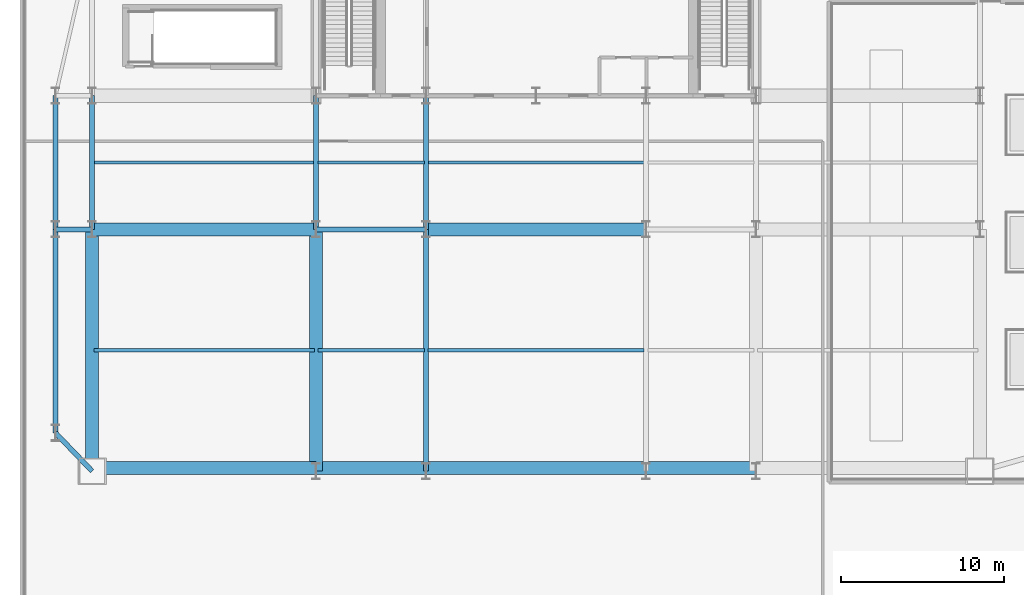
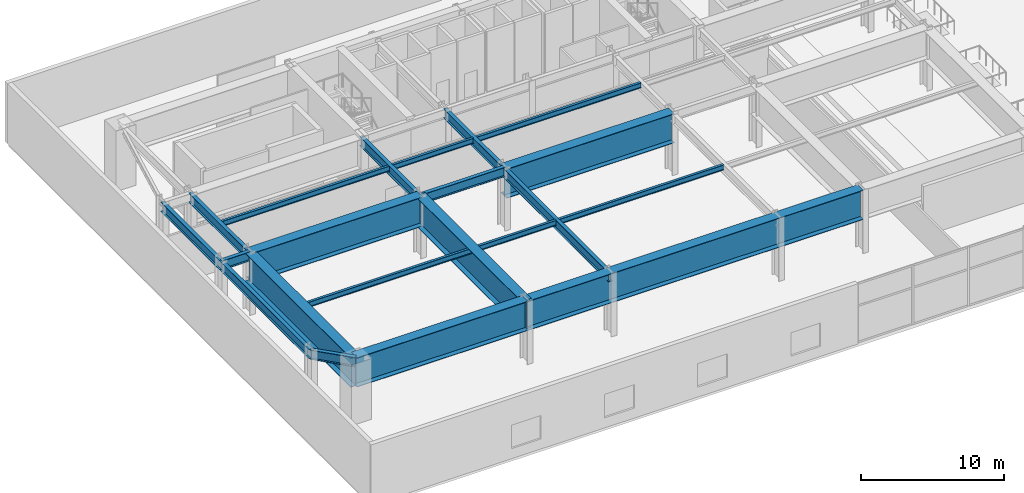
# One storey, part 3 of 29: 21 beams.
"""IFC4 building model written with IfcOpenShell, lengths in metres."""

from ifc_helpers import new_model, si_unit, direction, frame, origin, origin_2d, place, context, subcontext, project, spatial, i_section, extrude, material, material_profile, profile_set, type_object, element, save


model = new_model("IFC4")

# Units and contexts
model_context = context("Model", 3, precision=1e-05, world=origin(), true_north=direction((0.0, 1.0)))
body_context = subcontext(model_context, "Body", "Model", "MODEL_VIEW")
ifc_project = project(units=[si_unit("LENGTHUNIT", "METRE"), si_unit("AREAUNIT", "SQUARE_METRE"), si_unit("VOLUMEUNIT", "CUBIC_METRE"), si_unit("PLANEANGLEUNIT", "RADIAN"), si_unit("MASSUNIT", "GRAM", prefix="KILO")], contexts=[model_context])

# Site, building, storey
site_placement = place(None, origin())
site = spatial("IfcSite", under=ifc_project, at=site_placement, CompositionType="ELEMENT")
building_placement = place(site_placement, origin())
building = spatial("IfcBuilding", under=site, at=building_placement, Name="Haevon Station Towers", CompositionType="ELEMENT")
storey_placement = place(building_placement, frame((0.0, 0.0, 25.199951171875)))
storey = spatial("IfcBuildingStorey", under=building, at=storey_placement, Name="L05", CompositionType="ELEMENT", Elevation=25.199951171875)

# Beams
ifc_material_1 = material(Name="Steel S355", Category="steel")
ifc_material_profile_1 = material_profile(ifc_material_1, i_section(OverallWidth=0.199951171875, OverallDepth=0.449951171875, WebThickness=0.009033203125, FlangeThickness=0.013916015625, at=origin_2d()), Name="H-450x200x9x14")
ifc_profile_set_1 = profile_set([ifc_material_profile_1], Name="Steel S355")
beam_type_1 = type_object("IfcBeamType", Name="BM-J450", PredefinedType="JOIST", material=ifc_profile_set_1)
beam_1_placement = place(storey_placement, frame((10.360107421875, 22.574951171875, 4.925048828125), z_axis=(1.0, 0.0, 0.0), x_axis=(0.0, 1.0, 0.0)))
element("IfcBeam", 1, at=beam_1_placement, inside=storey, type_object=beam_type_1, Name="BM-T1J-L05-01-01", PredefinedType="JOIST", context=body_context, shape_type="SweptSolid", body=[
    extrude(i_section(OverallWidth=0.199951171875, OverallDepth=0.449951171875, WebThickness=0.009033203125, FlangeThickness=0.013916015625, at=origin_2d()), origin(), (0.0, 0.0, 1.0), 13.52978515625),
])
beam_2_placement = place(storey_placement, frame((24.110107421875, 22.574951171875, 4.925048828125), z_axis=(1.0, 0.0, 0.0), x_axis=(0.0, 1.0, 0.0)))
element("IfcBeam", 2, at=beam_2_placement, inside=storey, type_object=beam_type_1, Name="BM-T1J-L05-01-02", PredefinedType="JOIST", context=body_context, shape_type="SweptSolid", body=[
    extrude(i_section(OverallWidth=0.199951171875, OverallDepth=0.449951171875, WebThickness=0.009033203125, FlangeThickness=0.013916015625, at=origin_2d()), origin(), (0.0, 0.0, 1.0), 6.52978515625),
])
beam_3_placement = place(storey_placement, frame((30.860107421875, 22.574951171875, 4.925048828125), z_axis=(1.0, 0.0, 0.0), x_axis=(0.0, 1.0, 0.0)))
element("IfcBeam", 3, at=beam_3_placement, inside=storey, type_object=beam_type_1, Name="BM-T1J-L05-01-03", PredefinedType="JOIST", context=body_context, shape_type="SweptSolid", body=[
    extrude(i_section(OverallWidth=0.199951171875, OverallDepth=0.449951171875, WebThickness=0.009033203125, FlangeThickness=0.013916015625, at=origin_2d()), origin(), (0.0, 0.0, 1.0), 13.27978515625),
])
beam_4_placement = place(storey_placement, frame((10.360107421875, 34.10009765625, 4.925048828125), z_axis=(1.0, 0.0, 0.0), x_axis=(0.0, 1.0, 0.0)))
element("IfcBeam", 4, at=beam_4_placement, inside=storey, type_object=beam_type_1, Name="BM-T1J-L05-02-01", PredefinedType="JOIST", context=body_context, shape_type="SweptSolid", body=[
    extrude(i_section(OverallWidth=0.199951171875, OverallDepth=0.449951171875, WebThickness=0.009033203125, FlangeThickness=0.013916015625, at=origin_2d()), origin(), (0.0, 0.0, 1.0), 13.52978515625),
])
beam_5_placement = place(storey_placement, frame((24.110107421875, 34.10009765625, 4.925048828125), z_axis=(1.0, 0.0, 0.0), x_axis=(0.0, 1.0, 0.0)))
element("IfcBeam", 5, at=beam_5_placement, inside=storey, type_object=beam_type_1, Name="BM-T1J-L05-02-02", PredefinedType="JOIST", context=body_context, shape_type="SweptSolid", body=[
    extrude(i_section(OverallWidth=0.199951171875, OverallDepth=0.449951171875, WebThickness=0.009033203125, FlangeThickness=0.013916015625, at=origin_2d()), origin(), (0.0, 0.0, 1.0), 6.52978515625),
])
beam_6_placement = place(storey_placement, frame((30.860107421875, 34.10009765625, 4.925048828125), z_axis=(1.0, 0.0, 0.0), x_axis=(0.0, 1.0, 0.0)))
element("IfcBeam", 6, at=beam_6_placement, inside=storey, type_object=beam_type_1, Name="BM-T1J-L05-02-03", PredefinedType="JOIST", context=body_context, shape_type="SweptSolid", body=[
    extrude(i_section(OverallWidth=0.199951171875, OverallDepth=0.449951171875, WebThickness=0.009033203125, FlangeThickness=0.013916015625, at=origin_2d()), origin(), (0.0, 0.0, 1.0), 13.27978515625),
])
ifc_material_profile_2 = material_profile(ifc_material_1, i_section(OverallWidth=0.300048828125, OverallDepth=0.800048828125, WebThickness=0.013916015625, FlangeThickness=0.02587890625, at=origin_2d()), Name="H-800x300x14x26")
ifc_profile_set_2 = profile_set([ifc_material_profile_2], Name="Steel S355")
beam_type_2 = type_object("IfcBeamType", Name="BM-PG800", PredefinedType="BEAM", material=ifc_profile_set_2)
beam_7_placement = place(storey_placement, frame((24.0, 30.0, 4.75), z_axis=(1.0, 0.0, 0.0), x_axis=(0.0, 1.0, 0.0)))
element("IfcBeam", 7, at=beam_7_placement, inside=storey, type_object=beam_type_2, Name="BM-T1X-L05-02-02", PredefinedType="BEAM", context=body_context, shape_type="SweptSolid", body=[
    extrude(i_section(OverallWidth=0.300048828125, OverallDepth=0.800048828125, WebThickness=0.013916015625, FlangeThickness=0.02587890625, at=origin_2d()), origin(), (0.0, 0.0, 1.0), 6.75),
])
for number, where, z_axis, x_axis, name in (
    (8, (10.25, 30.0, 4.75), (0.0, 1.0, 0.0), (-1.0, 0.0, 0.0), "BM-T1Y-L05-01-02"),
    (9, (24.0, 30.0, 4.75), (0.0, 1.0, 0.0), (-1.0, 0.0, 0.0), "BM-T1Y-L05-02-02"),
):
    element("IfcBeam", number, at=place(storey_placement, frame(where, z_axis=z_axis, x_axis=x_axis)), inside=storey, type_object=beam_type_2, Name=name, PredefinedType="BEAM", context=body_context, shape_type="SweptSolid", body=[
        extrude(i_section(OverallWidth=0.300048828125, OverallDepth=0.800048828125, WebThickness=0.013916015625, FlangeThickness=0.02587890625, at=origin_2d()), origin(), (0.0, 0.0, 1.0), 8.199951171875),
    ])
beam_8_placement = place(storey_placement, frame((30.75, 15.14990234375, 4.75), z_axis=(0.0, 1.0, 0.0), x_axis=(-1.0, 0.0, 0.0)))
element("IfcBeam", 10, at=beam_8_placement, inside=storey, type_object=beam_type_2, Name="BM-T1Y-L05-03-01", PredefinedType="BEAM", context=body_context, shape_type="SweptSolid", body=[
    extrude(i_section(OverallWidth=0.300048828125, OverallDepth=0.800048828125, WebThickness=0.013916015625, FlangeThickness=0.02587890625, at=origin_2d()), origin(), (0.0, 0.0, 1.0), 14.85009765625),
])
beam_9_placement = place(storey_placement, frame((30.75, 30.0, 4.75), z_axis=(0.0, 1.0, 0.0), x_axis=(-1.0, 0.0, 0.0)))
element("IfcBeam", 11, at=beam_9_placement, inside=storey, type_object=beam_type_2, Name="BM-T1Y-L05-03-02", PredefinedType="BEAM", context=body_context, shape_type="SweptSolid", body=[
    extrude(i_section(OverallWidth=0.300048828125, OverallDepth=0.800048828125, WebThickness=0.013916015625, FlangeThickness=0.02587890625, at=origin_2d()), origin(), (0.0, 0.0, 1.0), 8.199951171875),
])
beam_10_placement = place(storey_placement, frame((8.0, 17.5, 4.75), z_axis=(0.691556505419, -0.722322365577, 0.0), x_axis=(0.722322365577, 0.691556505419, 0.0)))
element("IfcBeam", 12, at=beam_10_placement, inside=storey, type_object=beam_type_2, Name="BM-PODW-L05-1", PredefinedType="BEAM", context=body_context, shape_type="SweptSolid", body=[
    extrude(i_section(OverallWidth=0.300048828125, OverallDepth=0.800048828125, WebThickness=0.013916015625, FlangeThickness=0.02587890625, at=origin_2d()), origin(), (0.0, 0.0, 1.0), 3.25341796875),
])
beam_11_placement = place(storey_placement, frame((8.0, 30.0, 4.75), z_axis=(1.0, 0.0, 0.0), x_axis=(0.0, 1.0, 0.0)))
element("IfcBeam", 13, at=beam_11_placement, inside=storey, type_object=beam_type_2, Name="BM-PODW-L05-2", PredefinedType="BEAM", context=body_context, shape_type="SweptSolid", body=[
    extrude(i_section(OverallWidth=0.300048828125, OverallDepth=0.800048828125, WebThickness=0.013916015625, FlangeThickness=0.02587890625, at=origin_2d()), origin(), (0.0, 0.0, 1.0), 2.25),
])
beam_12_placement = place(storey_placement, frame((8.0, 17.5, 4.75), z_axis=(0.0, 1.0, 0.0), x_axis=(-1.0, 0.0, 0.0)))
element("IfcBeam", 14, at=beam_12_placement, inside=storey, type_object=beam_type_2, Name="BM-PODNS-L05-W1", PredefinedType="BEAM", context=body_context, shape_type="SweptSolid", body=[
    extrude(i_section(OverallWidth=0.300048828125, OverallDepth=0.800048828125, WebThickness=0.013916015625, FlangeThickness=0.02587890625, at=origin_2d()), origin(), (0.0, 0.0, 1.0), 12.5),
])
beam_13_placement = place(storey_placement, frame((8.0, 30.0, 4.75), z_axis=(0.0, 1.0, 0.0), x_axis=(-1.0, 0.0, 0.0)))
element("IfcBeam", 15, at=beam_13_placement, inside=storey, type_object=beam_type_2, Name="BM-PODNS-L05-W2", PredefinedType="BEAM", context=body_context, shape_type="SweptSolid", body=[
    extrude(i_section(OverallWidth=0.300048828125, OverallDepth=0.800048828125, WebThickness=0.013916015625, FlangeThickness=0.02587890625, at=origin_2d()), origin(), (0.0, 0.0, 1.0), 8.199951171875),
])
ifc_material_2 = material(Name="Steel S460", Category="steel")
ifc_material_profile_3 = material_profile(ifc_material_2, i_section(OverallWidth=0.800048828125, OverallDepth=2.5, WebThickness=0.031982421875, FlangeThickness=0.0400390625, at=origin_2d()), Name="H-2500x800x32x40")
ifc_profile_set_3 = profile_set([ifc_material_profile_3], Name="Steel S460")
beam_type_3 = type_object("IfcBeamType", Name="BM-TG2500", PredefinedType="BEAM", material=ifc_profile_set_3)
beam_14_placement = place(storey_placement, frame((10.25, 30.0, 3.900146484375), z_axis=(1.0, 0.0, 0.0), x_axis=(0.0, 1.0, 0.0)))
element("IfcBeam", 16, at=beam_14_placement, inside=storey, type_object=beam_type_3, Name="BM-T1X-L05-02-01", PredefinedType="BEAM", context=body_context, shape_type="SweptSolid", body=[
    extrude(i_section(OverallWidth=0.800048828125, OverallDepth=2.5, WebThickness=0.031982421875, FlangeThickness=0.0400390625, at=origin_2d()), origin(), (0.0, 0.0, 1.0), 13.75),
])
beam_15_placement = place(storey_placement, frame((30.75, 30.0, 3.900146484375), z_axis=(1.0, 0.0, 0.0), x_axis=(0.0, 1.0, 0.0)))
element("IfcBeam", 17, at=beam_15_placement, inside=storey, type_object=beam_type_3, Name="BM-T1X-L05-02-03", PredefinedType="BEAM", context=body_context, shape_type="SweptSolid", body=[
    extrude(i_section(OverallWidth=0.800048828125, OverallDepth=2.5, WebThickness=0.031982421875, FlangeThickness=0.0400390625, at=origin_2d()), origin(), (0.0, 0.0, 1.0), 13.5),
])
for number, where, z_axis, x_axis, name in (
    (18, (10.25, 15.14990234375, 3.900146484375), (0.0, 1.0, 0.0), (-1.0, 0.0, 0.0), "BM-T1Y-L05-01-01"),
    (19, (24.0, 15.14990234375, 3.900146484375), (0.0, 1.0, 0.0), (-1.0, 0.0, 0.0), "BM-T1Y-L05-02-01"),
):
    element("IfcBeam", number, at=place(storey_placement, frame(where, z_axis=z_axis, x_axis=x_axis)), inside=storey, type_object=beam_type_3, Name=name, PredefinedType="BEAM", context=body_context, shape_type="SweptSolid", body=[
        extrude(i_section(OverallWidth=0.800048828125, OverallDepth=2.5, WebThickness=0.031982421875, FlangeThickness=0.0400390625, at=origin_2d()), origin(), (0.0, 0.0, 1.0), 14.85009765625),
    ])
beam_16_placement = place(storey_placement, frame((10.25, 15.35009765625, 3.900146484375), z_axis=(1.0, 0.0, 0.0), x_axis=(0.0, 1.0, 0.0)))
element("IfcBeam", 20, at=beam_16_placement, inside=storey, type_object=beam_type_3, Name="BM-L05-T1TRN-1", PredefinedType="BEAM", context=body_context, shape_type="SweptSolid", body=[
    extrude(i_section(OverallWidth=0.800048828125, OverallDepth=2.5, WebThickness=0.031982421875, FlangeThickness=0.0400390625, at=origin_2d()), origin(), (0.0, 0.0, 1.0), 13.75),
])
beam_17_placement = place(storey_placement, frame((24.0, 15.35009765625, 3.900146484375), z_axis=(1.0, 0.0, 0.0), x_axis=(0.0, 1.0, 0.0)))
element("IfcBeam", 21, at=beam_17_placement, inside=storey, type_object=beam_type_3, Name="BM-L05-T1TRN-2", PredefinedType="BEAM", context=body_context, shape_type="SweptSolid", body=[
    extrude(i_section(OverallWidth=0.800048828125, OverallDepth=2.5, WebThickness=0.031982421875, FlangeThickness=0.0400390625, at=origin_2d()), origin(), (0.0, 0.0, 1.0), 27.0),
])

save(model, "model.ifc")
